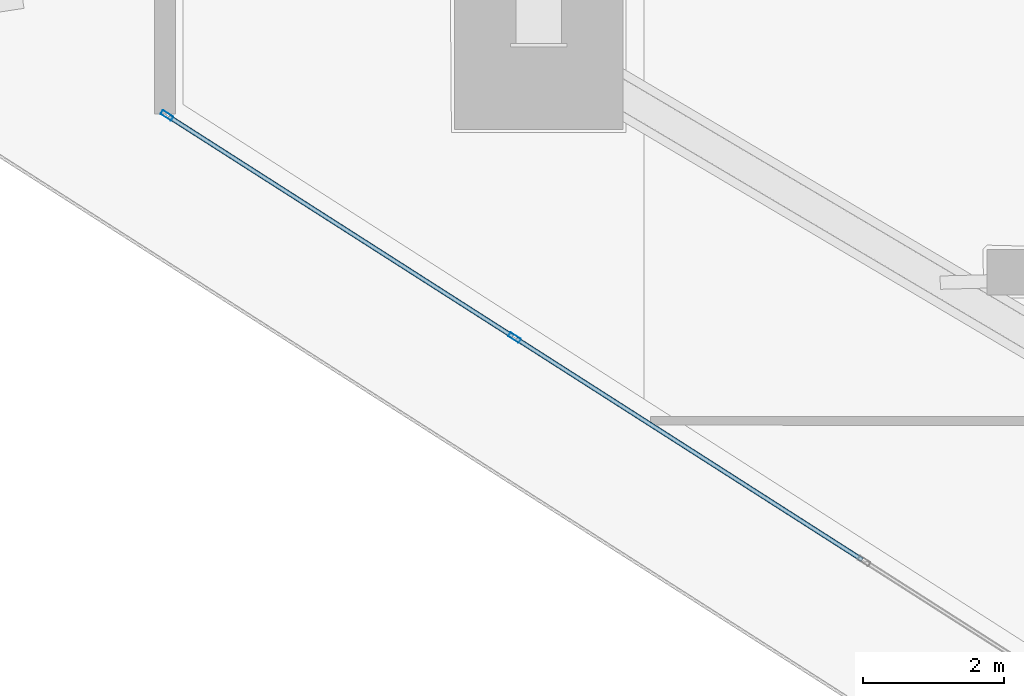
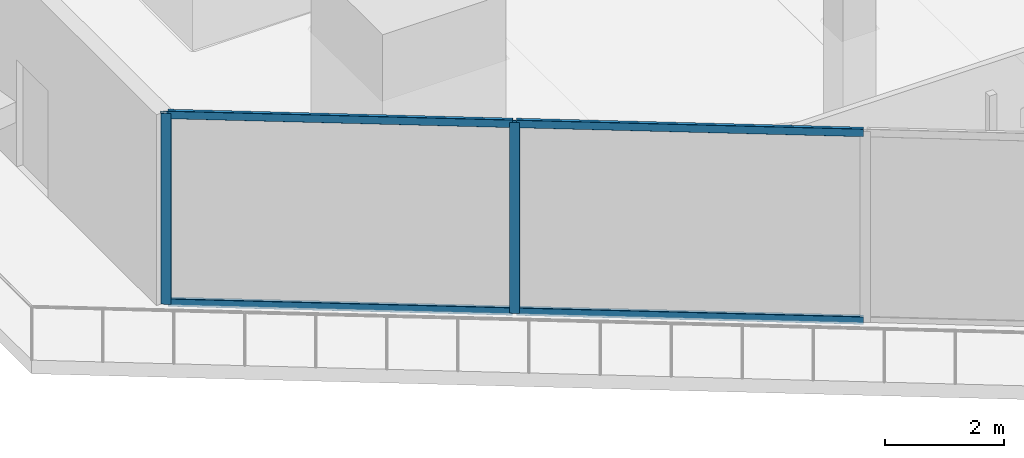
# One storey, part 4 of 45: 6 members, 1 element without a shape of its own.
"""IFC4 building model written with IfcOpenShell, lengths in metres."""

from ifc_helpers import new_model, si_unit, direction, frame, origin, origin_2d, place, context, subcontext, project, spatial, hollow_rectangle, extrude, material, layer, layer_set, material_profile, profile_set, type_object, element, aggregate, save


model = new_model("IFC4")

# Units and contexts
model_context = context("Model", 3, precision=1e-05, world=origin(), true_north=direction((0.0, 1.0)))
body_context = subcontext(model_context, "Body", "Model", "MODEL_VIEW")
ifc_project = project(units=[si_unit("LENGTHUNIT", "METRE"), si_unit("AREAUNIT", "SQUARE_METRE"), si_unit("VOLUMEUNIT", "CUBIC_METRE"), si_unit("PLANEANGLEUNIT", "RADIAN"), si_unit("MASSUNIT", "GRAM", prefix="KILO")], contexts=[model_context])

# Site, building, storey
site_placement = place(None, origin())
site = spatial("IfcSite", under=ifc_project, at=site_placement, CompositionType="ELEMENT")
building_placement = place(site_placement, origin())
building = spatial("IfcBuilding", under=site, at=building_placement, Name="Qorvath Tower", CompositionType="ELEMENT")
storey_placement = place(building_placement, frame((0.0, 0.0, 49.199951171875)))
storey = spatial("IfcBuildingStorey", under=building, at=storey_placement, Name="L10", CompositionType="ELEMENT", Elevation=49.199951171875)

# Curtain wall, members
ifc_material_1 = material(Name="Anodised aluminium and triple low-E glass", Category="aluminium")
ifc_layer = layer(ifc_material_1, 0.179931640625)
ifc_layer_set = layer_set([ifc_layer], Name="CW-SYS-2")
curtain_wall_type = type_object("IfcCurtainWallType", Name="CW-SYS-2", PredefinedType="NOTDEFINED", material=ifc_layer_set)
curtain_wall_placement = place(storey_placement, origin())
curtain_wall = element("IfcCurtainWall", 1, at=curtain_wall_placement, inside=storey, type_object=curtain_wall_type, Name="Curtain Wall CW-2 CW-T-L10-2.1", PredefinedType="NOTDEFINED")
ifc_material_2 = material(Name="Anodised aluminium 6063-T6", Category="aluminium")
ifc_material_profile_1 = material_profile(ifc_material_2, hollow_rectangle(XDim=0.06494140625, YDim=0.179931640625, WallThickness=0.00341796875, InnerFilletRadius=0.00341796875, OuterFilletRadius=0.007080078125, at=origin_2d()), Name="CWM 180x65")
ifc_profile_set_1 = profile_set([ifc_material_profile_1], Name="Anodised aluminium 6063-T6")
member_type_1 = type_object("IfcMemberType", Name="CWM-180", PredefinedType="MULLION", material=ifc_profile_set_1)
member_1_placement = place(storey_placement, frame((-60.57373046875, -4.193603515625, 0.0), z_axis=(0.0, 0.0, 1.0), x_axis=(0.538531853978, 0.842605152044, 0.0)))
member_1 = element("IfcMember", 2, at=member_1_placement, type_object=member_type_1, Name="CW-2 mullion 1", PredefinedType="MULLION", context=body_context, shape_type="SweptSolid", body=[
    extrude(hollow_rectangle(XDim=0.06494140625, YDim=0.179931640625, WallThickness=0.00341796875, InnerFilletRadius=0.00341796875, OuterFilletRadius=0.007080078125, at=origin_2d()), origin(), (0.0, 0.0, 1.0), 3.920166015625),
])
member_2_placement = place(storey_placement, frame((-55.62646484375, -7.35546875, 0.0), z_axis=(0.0, 0.0, 1.0), x_axis=(0.538531853978, 0.842605152044, 0.0)))
member_2 = element("IfcMember", 3, at=member_2_placement, type_object=member_type_1, Name="CW-2 mullion 2", PredefinedType="MULLION", context=body_context, shape_type="SweptSolid", body=[
    extrude(hollow_rectangle(XDim=0.06494140625, YDim=0.179931640625, WallThickness=0.00341796875, InnerFilletRadius=0.00341796875, OuterFilletRadius=0.007080078125, at=origin_2d()), origin(), (0.0, 0.0, 1.0), 3.920166015625),
])
ifc_material_3 = material(Name="Anodised aluminium 6063-T6", Category="aluminium")
ifc_material_profile_2 = material_profile(ifc_material_3, hollow_rectangle(XDim=0.06494140625, YDim=0.159912109375, WallThickness=0.00341796875, InnerFilletRadius=0.00341796875, OuterFilletRadius=0.007080078125, at=origin_2d()), Name="CWT 160x65")
ifc_profile_set_2 = profile_set([ifc_material_profile_2], Name="Anodised aluminium 6063-T6")
member_type_2 = type_object("IfcMemberType", Name="CWT-160", PredefinedType="USERDEFINED", material=ifc_profile_set_2)
member_3_placement = place(storey_placement, frame((-60.54638671875, -4.2109375, 0.032470703125), z_axis=(0.842607225398, -0.538528609925, 0.0), x_axis=(0.538528609925, 0.842607225398, 0.0)))
member_3 = element("IfcMember", 4, at=member_3_placement, type_object=member_type_2, Name="CW-2 transom 1.1", ObjectType="TRANSOM", PredefinedType="USERDEFINED", context=body_context, shape_type="SweptSolid", body=[
    extrude(hollow_rectangle(XDim=0.06494140625, YDim=0.159912109375, WallThickness=0.00341796875, InnerFilletRadius=0.00341796875, OuterFilletRadius=0.007080078125, at=origin_2d()), origin(), (0.0, 0.0, 1.0), 5.806396484375),
])
member_4_placement = place(storey_placement, frame((-60.54638671875, -4.2109375, 3.8876953125), z_axis=(0.842607225398, -0.538528609925, 0.0), x_axis=(0.538528609925, 0.842607225398, 0.0)))
member_4 = element("IfcMember", 5, at=member_4_placement, type_object=member_type_2, Name="CW-2 transom 1.2", ObjectType="TRANSOM", PredefinedType="USERDEFINED", context=body_context, shape_type="SweptSolid", body=[
    extrude(hollow_rectangle(XDim=0.06494140625, YDim=0.159912109375, WallThickness=0.00341796875, InnerFilletRadius=0.00341796875, OuterFilletRadius=0.007080078125, at=origin_2d()), origin(), (0.0, 0.0, 1.0), 5.806396484375),
])
member_5_placement = place(storey_placement, frame((-55.59912109375, -7.373046875, 0.032470703125), z_axis=(0.842618260885, -0.538511342891, 0.0), x_axis=(0.538511342891, 0.842618260885, 0.0)))
member_5 = element("IfcMember", 6, at=member_5_placement, type_object=member_type_2, Name="CW-2 transom 2.1", ObjectType="TRANSOM", PredefinedType="USERDEFINED", context=body_context, shape_type="SweptSolid", body=[
    extrude(hollow_rectangle(XDim=0.06494140625, YDim=0.159912109375, WallThickness=0.00341796875, InnerFilletRadius=0.00341796875, OuterFilletRadius=0.007080078125, at=origin_2d()), origin(), (0.0, 0.0, 1.0), 5.8388671875),
])
member_6_placement = place(storey_placement, frame((-55.59912109375, -7.373046875, 3.8876953125), z_axis=(0.842618260885, -0.538511342891, 0.0), x_axis=(0.538511342891, 0.842618260885, 0.0)))
member_6 = element("IfcMember", 7, at=member_6_placement, type_object=member_type_2, Name="CW-2 transom 2.2", ObjectType="TRANSOM", PredefinedType="USERDEFINED", context=body_context, shape_type="SweptSolid", body=[
    extrude(hollow_rectangle(XDim=0.06494140625, YDim=0.159912109375, WallThickness=0.00341796875, InnerFilletRadius=0.00341796875, OuterFilletRadius=0.007080078125, at=origin_2d()), origin(), (0.0, 0.0, 1.0), 5.8388671875),
])
aggregate(curtain_wall, [member_1, member_2, member_3, member_4, member_5, member_6])

save(model, "model.ifc")
